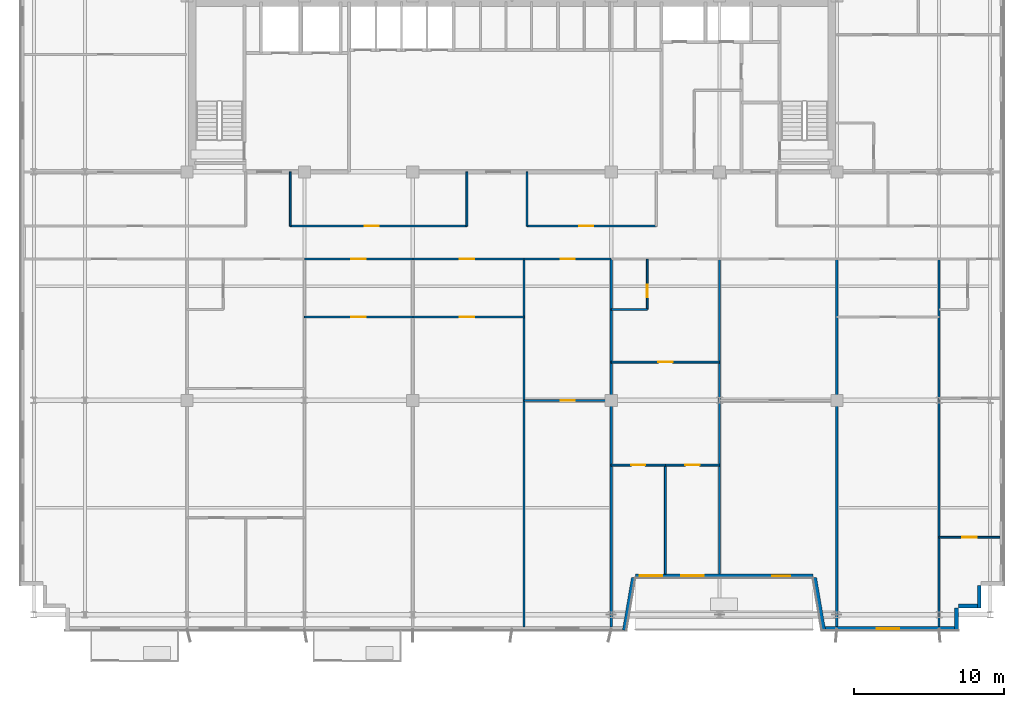
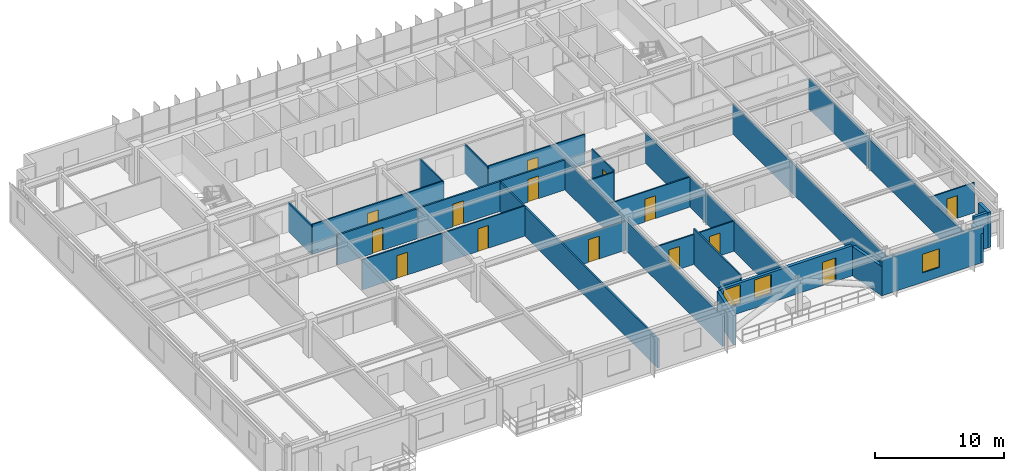
# One storey, part 16 of 22: 30 walls, 14 doors, 3 windows, 17 openings.
"""IFC4 building model written with IfcOpenShell, lengths in metres."""

from ifc_helpers import new_model, si_unit, direction, frame, frame_2d, origin, place, context, subcontext, project, spatial, rectangle, extrude, source, transform, mapped, material, layer, layer_set, type_object, element, fill, save


model = new_model("IFC4")

# Units and contexts
model_context = context("Model", 3, precision=1e-05, world=origin(), true_north=direction((0.0, 1.0)))
body_context = subcontext(model_context, "Body", "Model", "MODEL_VIEW")
ifc_project = project(units=[si_unit("LENGTHUNIT", "METRE"), si_unit("AREAUNIT", "SQUARE_METRE"), si_unit("VOLUMEUNIT", "CUBIC_METRE"), si_unit("PLANEANGLEUNIT", "RADIAN"), si_unit("MASSUNIT", "GRAM", prefix="KILO")], contexts=[model_context])

# Site, building, storey
site_placement = place(None, origin())
site = spatial("IfcSite", under=ifc_project, at=site_placement, CompositionType="ELEMENT")
building_placement = place(site_placement, origin())
building = spatial("IfcBuilding", under=site, at=building_placement, Name="Trelvane Seafront Commons", CompositionType="ELEMENT")
storey_placement = place(building_placement, frame((0.0, 0.0, 121.300048828125)))
storey = spatial("IfcBuildingStorey", under=building, at=storey_placement, Name="L31", CompositionType="ELEMENT", Elevation=121.300048828125)

# Walls
ifc_material_1 = material(Name="Precast concrete C40/50", Category="concrete")
ifc_layer_1 = layer(ifc_material_1, 0.260009765625, Name="ARCH-WALL-EXT260")
ifc_layer_set_1 = layer_set([ifc_layer_1], Name="Precast concrete C40/50")
wall_type_1 = type_object("IfcWallType", Name="ARCH-WALL-EXT260", PredefinedType="SOLIDWALL", material=ifc_layer_set_1)
for number, where, z_axis, x_axis, name in (
    (1, (68.27001953125, 5.89990234375, 0.0), (0.0, 0.0, 1.0), (0.0, -1.0, 0.0), "EW-L31-00596"),
    (2, (68.39990234375, 4.530029296875, 0.0), (0.0, 0.0, 1.0), (-1.0, 0.0, 0.0), "EW-L31-00597"),
):
    element("IfcWall", number, at=place(storey_placement, frame(where, z_axis=z_axis, x_axis=x_axis)), inside=storey, type_object=wall_type_1, Name=name, PredefinedType="SOLIDWALL", context=body_context, shape_type="SweptSolid", body=[
        extrude(rectangle(XDim=1.5, YDim=0.260009765625, at=frame_2d((0.75, 0.0))), origin(), (0.0, 0.0, 1.0), 3.33984375),
    ])
wall_1_placement = place(storey_placement, frame((66.77001953125, 4.39990234375, 0.0), z_axis=(0.0, 0.0, 1.0), x_axis=(0.0, -1.0, 0.0)))
element("IfcWall", 3, at=wall_1_placement, inside=storey, type_object=wall_type_1, Name="EW-L31-00598", PredefinedType="SOLIDWALL", context=body_context, shape_type="SweptSolid", body=[
    extrude(rectangle(XDim=1.5, YDim=0.260009765625, at=frame_2d((0.75, 0.0))), origin(), (0.0, 0.0, 1.0), 2.751953125),
])

# Wall, opening, window
wall_2_placement = place(storey_placement, frame((66.89990234375, 3.030029296875, 0.0), z_axis=(0.0, 0.0, 1.0), x_axis=(-1.0, 0.0, 0.0)))
wall_2 = element("IfcWall", 4, at=wall_2_placement, inside=storey, type_object=wall_type_1, Name="EW-L31-00599", PredefinedType="SOLIDWALL", context=body_context, shape_type="SweptSolid", body=[
    extrude(rectangle(XDim=9.099853515625, YDim=0.260009765625, at=frame_2d((4.5498046875, 0.0))), origin(), (0.0, 0.0, 1.0), 3.33984375),
])
opening_1_placement = place(wall_2_placement, frame((3.949951171875, 0.0, 0.89990234375)))
opening_1 = element("IfcOpeningElement", 5, at=opening_1_placement, cuts=wall_2, Name="Opening W03", PredefinedType="OPENING", context=body_context, shape_type="SweptSolid", body=[
    extrude(rectangle(XDim=1.5, YDim=1.75, at=frame_2d((0.75, 0.875))), frame((0.0, 0.139892578125, 0.0), z_axis=(0.0, -1.0, 0.0), x_axis=(1.0, 0.0, 0.0)), (0.0, 0.0, 1.0), 0.280029296875),
])
ifc_material_2 = material(Name="Low-E coastal double glazing", Category="glass")
window_type = type_object("IfcWindowType", Name="ARCH-WIN-W03", PartitioningType="SINGLE_PANEL", PredefinedType="WINDOW", material=ifc_material_2)
shared_shape_1 = source(origin(), body_context, "Body", "SweptSolid", [
    extrude(rectangle(XDim=1.5, YDim=1.75, at=frame_2d((0.75, 0.875))), frame((0.0, 0.030029296875, 0.0), z_axis=(0.0, -1.0, 0.0), x_axis=(1.0, 0.0, 0.0)), (0.0, 0.0, 1.0), 0.06005859375),
])
window_1_placement = place(opening_1_placement, origin())
window_1 = element("IfcWindow", 6, at=window_1_placement, inside=storey, type_object=window_type, Name="WIN-L31-00711", OverallHeight=1.75, OverallWidth=1.5, PartitioningType="SINGLE_PANEL", PredefinedType="WINDOW", context=body_context, shape_type="MappedRepresentation", body=[
    mapped(shared_shape_1, transform((0.0, 0.0, 0.0), x_axis=(1.0, 0.0, 0.0), y_axis=(0.0, 1.0, 0.0), z_axis=(0.0, 0.0, 1.0), scale=1.0)),
])
fill(opening_1, window_1)

# Wall
wall_3_placement = place(storey_placement, frame((57.927978515625, 2.922119140625, 0.0), z_axis=(0.0, 0.0, 1.0), x_axis=(-0.168923741424, 0.98562912375, 0.0)))
element("IfcWall", 7, at=wall_3_placement, inside=storey, type_object=wall_type_1, Name="EW-L31-00600", PredefinedType="SOLIDWALL", context=body_context, shape_type="SweptSolid", body=[
    extrude(rectangle(XDim=3.551025390625, YDim=0.260009765625, at=frame_2d((1.775390625, 0.0))), origin(), (0.0, 0.0, 1.0), 2.751953125),
])

# Wall, openings, door, windows
wall_4_placement = place(storey_placement, frame((57.199951171875, 6.530029296875, 0.0), z_axis=(0.0, 0.0, 1.0), x_axis=(-1.0, 0.0, 0.0)))
wall_4 = element("IfcWall", 8, at=wall_4_placement, inside=storey, type_object=wall_type_1, Name="EW-L31-00601", PredefinedType="SOLIDWALL", context=body_context, shape_type="SweptSolid", body=[
    extrude(rectangle(XDim=11.800048828125, YDim=0.260009765625, at=frame_2d((5.89990234375, 0.0))), origin(), (0.0, 0.0, 1.0), 2.83984375),
])
opening_2_placement = place(wall_4_placement, frame((1.489990234375, 0.0, 0.0)))
opening_2 = element("IfcOpeningElement", 9, at=opening_2_placement, cuts=wall_4, Name="Opening BD-L31-74", PredefinedType="OPENING", context=body_context, shape_type="SweptSolid", body=[
    extrude(rectangle(XDim=1.199951171875, YDim=2.199951171875, at=frame_2d((0.60009765625, 1.10009765625))), frame((0.0, 0.139892578125, 0.0), z_axis=(0.0, -1.0, 0.0), x_axis=(1.0, 0.0, 0.0)), (0.0, 0.0, 1.0), 0.280029296875),
])
opening_3_placement = place(wall_4_placement, frame((7.25, 0.0, 0.89990234375)))
opening_3 = element("IfcOpeningElement", 10, at=opening_3_placement, cuts=wall_4, Name="Opening W03", PredefinedType="OPENING", context=body_context, shape_type="SweptSolid", body=[
    extrude(rectangle(XDim=1.5, YDim=1.75, at=frame_2d((0.75, 0.875))), frame((0.0, 0.139892578125, 0.0), z_axis=(0.0, -1.0, 0.0), x_axis=(1.0, 0.0, 0.0)), (0.0, 0.0, 1.0), 0.280029296875),
])
opening_4_placement = place(wall_4_placement, frame((10.0048828125, 0.0, 0.89990234375)))
opening_4 = element("IfcOpeningElement", 11, at=opening_4_placement, cuts=wall_4, Name="Opening W03", PredefinedType="OPENING", context=body_context, shape_type="SweptSolid", body=[
    extrude(rectangle(XDim=1.5, YDim=1.75, at=frame_2d((0.75, 0.875))), frame((0.0, 0.139892578125, 0.0), z_axis=(0.0, -1.0, 0.0), x_axis=(1.0, 0.0, 0.0)), (0.0, 0.0, 1.0), 0.280029296875),
])
ifc_material_3 = material(Name="Powder-coated aluminium frame", Category="aluminium")
door_type_1 = type_object("IfcDoorType", Name="ARCH-DR-BAL1200", OperationType="NOTDEFINED", PredefinedType="DOOR", material=ifc_material_3)
shared_shape_2 = source(origin(), body_context, "Body", "SweptSolid", [
    extrude(rectangle(XDim=1.199951171875, YDim=2.199951171875, at=frame_2d((0.60009765625, 1.10009765625))), frame((0.0, 0.02490234375, 0.0), z_axis=(0.0, -1.0, 0.0), x_axis=(1.0, 0.0, 0.0)), (0.0, 0.0, 1.0), 0.050048828125),
])
door_1_placement = place(opening_2_placement, origin())
door_1 = element("IfcDoor", 12, at=door_1_placement, inside=storey, type_object=door_type_1, Name="L31 Balcony Terrace Access Door", OperationType="SINGLE_SWING_LEFT", OverallHeight=2.199951171875, OverallWidth=1.199951171875, PredefinedType="DOOR", context=body_context, shape_type="MappedRepresentation", body=[
    mapped(shared_shape_2, transform((0.0, 0.0, 0.0), x_axis=(1.0, 0.0, 0.0), y_axis=(0.0, 1.0, 0.0), z_axis=(0.0, 0.0, 1.0), scale=1.0)),
])
fill(opening_2, door_1)
window_2_placement = place(opening_3_placement, origin())
window_2 = element("IfcWindow", 13, at=window_2_placement, inside=storey, type_object=window_type, Name="WIN-L31-00712", OverallHeight=1.75, OverallWidth=1.5, PartitioningType="SINGLE_PANEL", PredefinedType="WINDOW", context=body_context, shape_type="MappedRepresentation", body=[
    mapped(shared_shape_1, transform((0.0, 0.0, 0.0), x_axis=(1.0, 0.0, 0.0), y_axis=(0.0, 1.0, 0.0), z_axis=(0.0, 0.0, 1.0), scale=1.0)),
])
fill(opening_3, window_2)
window_3_placement = place(opening_4_placement, origin())
window_3 = element("IfcWindow", 14, at=window_3_placement, inside=storey, type_object=window_type, Name="WIN-L31-00713", OverallHeight=1.75, OverallWidth=1.5, PartitioningType="SINGLE_PANEL", PredefinedType="WINDOW", context=body_context, shape_type="MappedRepresentation", body=[
    mapped(shared_shape_1, transform((0.0, 0.0, 0.0), x_axis=(1.0, 0.0, 0.0), y_axis=(0.0, 1.0, 0.0), z_axis=(0.0, 0.0, 1.0), scale=1.0)),
])
fill(opening_4, window_3)

# Wall
wall_5_placement = place(storey_placement, frame((45.27197265625, 6.422119140625, 0.0), z_axis=(0.0, 0.0, 1.0), x_axis=(-0.168990530437, -0.98561767467, 0.0)))
element("IfcWall", 15, at=wall_5_placement, inside=storey, type_object=wall_type_1, Name="EW-L31-00602", PredefinedType="SOLIDWALL", context=body_context, shape_type="SweptSolid", body=[
    extrude(rectangle(XDim=3.551025390625, YDim=0.260009765625, at=frame_2d((1.775390625, 0.0))), origin(), (0.0, 0.0, 1.0), 2.751953125),
])

# Wall, opening, door
ifc_material_4 = material(Name="Gypsum Drywall Acoustic Partition")
ifc_layer_2 = layer(ifc_material_4, 0.1201171875, Name="ARCH-WALL-PART120")
ifc_layer_set_2 = layer_set([ifc_layer_2], Name="Gypsum Drywall Acoustic Partition")
wall_type_2 = type_object("IfcWallType", Name="ARCH-WALL-PART120", PredefinedType="PARTITIONING", material=ifc_layer_set_2)
wall_6_placement = place(storey_placement, frame((22.449951171875, 29.800048828125, 0.0), z_axis=(0.0, 0.0, 1.0), x_axis=(1.0, 0.0, 0.0)))
wall_6 = element("IfcWall", 16, at=wall_6_placement, inside=storey, type_object=wall_type_2, Name="W-L31-CORR-N-M1-039", PredefinedType="PARTITIONING", context=body_context, shape_type="SweptSolid", body=[
    extrude(rectangle(XDim=11.75, YDim=0.1201171875, at=frame_2d((5.875, 0.0))), origin(), (0.0, 0.0, 1.0), 2.83984375),
])
opening_5_placement = place(wall_6_placement, frame((4.944091796875, 0.0, 0.0)))
opening_5 = element("IfcOpeningElement", 17, at=opening_5_placement, cuts=wall_6, Name="Opening D-L31-18", PredefinedType="OPENING", context=body_context, shape_type="SweptSolid", body=[
    extrude(rectangle(XDim=0.949951171875, YDim=2.14990234375, at=frame_2d((0.47509765625, 1.074951171875))), frame((0.0, 0.070068359375, 0.0), z_axis=(0.0, -1.0, 0.0), x_axis=(1.0, 0.0, 0.0)), (0.0, 0.0, 1.0), 0.14013671875),
])
ifc_material_5 = material(Name="Acoustic timber door leaf", Category="wood")
door_type_2 = type_object("IfcDoorType", Name="ARCH-DR-INT950", OperationType="NOTDEFINED", PredefinedType="DOOR", material=ifc_material_5)
shared_shape_3 = source(origin(), body_context, "Body", "SweptSolid", [
    extrude(rectangle(XDim=0.949951171875, YDim=2.14990234375, at=frame_2d((0.47509765625, 1.074951171875))), frame((0.0, 0.02490234375, 0.0), z_axis=(0.0, -1.0, 0.0), x_axis=(1.0, 0.0, 0.0)), (0.0, 0.0, 1.0), 0.050048828125),
])
door_2_placement = place(opening_5_placement, origin())
door_2 = element("IfcDoor", 18, at=door_2_placement, inside=storey, type_object=door_type_2, Name="L31 Door 18", OperationType="SINGLE_SWING_RIGHT", OverallHeight=2.14990234375, OverallWidth=0.949951171875, PredefinedType="DOOR", context=body_context, shape_type="MappedRepresentation", body=[
    mapped(shared_shape_3, transform((0.0, 0.0, 0.0), x_axis=(1.0, 0.0, 0.0), y_axis=(0.0, 1.0, 0.0), z_axis=(0.0, 0.0, 1.0), scale=1.0)),
])
fill(opening_5, door_2)

wall_7_placement = place(storey_placement, frame((38.199951171875, 29.800048828125, 0.0), z_axis=(0.0, 0.0, 1.0), x_axis=(1.0, 0.0, 0.0)))
wall_7 = element("IfcWall", 19, at=wall_7_placement, inside=storey, type_object=wall_type_2, Name="W-L31-CORR-N-M2-040", PredefinedType="PARTITIONING", context=body_context, shape_type="SweptSolid", body=[
    extrude(rectangle(XDim=8.60009765625, YDim=0.1201171875, at=frame_2d((4.300048828125, 0.0))), origin(), (0.0, 0.0, 1.0), 2.83984375),
])
opening_6_placement = place(wall_7_placement, frame((3.4619140625, 0.0, 0.0)))
opening_6 = element("IfcOpeningElement", 20, at=opening_6_placement, cuts=wall_7, Name="Opening D-L31-19", PredefinedType="OPENING", context=body_context, shape_type="SweptSolid", body=[
    extrude(rectangle(XDim=0.949951171875, YDim=2.14990234375, at=frame_2d((0.47509765625, 1.074951171875))), frame((0.0, 0.070068359375, 0.0), z_axis=(0.0, -1.0, 0.0), x_axis=(1.0, 0.0, 0.0)), (0.0, 0.0, 1.0), 0.14013671875),
])
door_3_placement = place(opening_6_placement, origin())
door_3 = element("IfcDoor", 21, at=door_3_placement, inside=storey, type_object=door_type_2, Name="L31 Door 19", OperationType="SINGLE_SWING_LEFT", OverallHeight=2.14990234375, OverallWidth=0.949951171875, PredefinedType="DOOR", context=body_context, shape_type="MappedRepresentation", body=[
    mapped(shared_shape_3, transform((0.0, 0.0, 0.0), x_axis=(1.0, 0.0, 0.0), y_axis=(0.0, 1.0, 0.0), z_axis=(0.0, 0.0, 1.0), scale=1.0)),
])
fill(opening_6, door_3)

# Walls
for number, where, z_axis, x_axis, name in (
    (22, (22.449951171875, 29.800048828125, 0.0), (0.0, 0.0, 1.0), (0.0, 1.0, 0.0), "W-L31-N-SPUR-W2-044"),
    (23, (34.199951171875, 29.800048828125, 0.0), (0.0, 0.0, 1.0), (0.0, 1.0, 0.0), "W-L31-N-SPUR-M1-045"),
    (24, (38.199951171875, 29.800048828125, 0.0), (0.0, 0.0, 1.0), (0.0, 1.0, 0.0), "W-L31-N-SPUR-M2-046"),
):
    element("IfcWall", number, at=place(storey_placement, frame(where, z_axis=z_axis, x_axis=x_axis)), inside=storey, type_object=wall_type_2, Name=name, PredefinedType="PARTITIONING", context=body_context, shape_type="SweptSolid", body=[
        extrude(rectangle(XDim=3.599853515625, YDim=0.1201171875, at=frame_2d((1.7998046875, 0.0))), origin(), (0.0, 0.0, 1.0), 2.751953125),
    ])

# Wall, opening, door
wall_8_placement = place(storey_placement, frame((23.39990234375, 23.75, 0.0), z_axis=(0.0, 0.0, 1.0), x_axis=(1.0, 0.0, 0.0)))
wall_8 = element("IfcWall", 25, at=wall_8_placement, inside=storey, type_object=wall_type_2, Name="W-L31-U3-DIV-077", PredefinedType="PARTITIONING", context=body_context, shape_type="SweptSolid", body=[
    extrude(rectangle(XDim=7.2001953125, YDim=0.1201171875, at=frame_2d((3.60009765625, 0.0))), origin(), (0.0, 0.0, 1.0), 2.83984375),
])
opening_7_placement = place(wall_8_placement, frame((3.125, 0.0, 0.0)))
opening_7 = element("IfcOpeningElement", 26, at=opening_7_placement, cuts=wall_8, Name="Opening D-L31-38", PredefinedType="OPENING", context=body_context, shape_type="SweptSolid", body=[
    extrude(rectangle(XDim=0.949951171875, YDim=2.14990234375, at=frame_2d((0.47509765625, 1.074951171875))), frame((0.0, 0.070068359375, 0.0), z_axis=(0.0, -1.0, 0.0), x_axis=(1.0, 0.0, 0.0)), (0.0, 0.0, 1.0), 0.14013671875),
])
door_4_placement = place(opening_7_placement, origin())
door_4 = element("IfcDoor", 27, at=door_4_placement, inside=storey, type_object=door_type_2, Name="L31 Door 38", OperationType="SINGLE_SWING_RIGHT", OverallHeight=2.14990234375, OverallWidth=0.949951171875, PredefinedType="DOOR", context=body_context, shape_type="MappedRepresentation", body=[
    mapped(shared_shape_3, transform((0.0, 0.0, 0.0), x_axis=(1.0, 0.0, 0.0), y_axis=(0.0, 1.0, 0.0), z_axis=(0.0, 0.0, 1.0), scale=1.0)),
])
fill(opening_7, door_4)

wall_9_placement = place(storey_placement, frame((30.60009765625, 23.75, 0.0), z_axis=(0.0, 0.0, 1.0), x_axis=(1.0, 0.0, 0.0)))
wall_9 = element("IfcWall", 28, at=wall_9_placement, inside=storey, type_object=wall_type_2, Name="W-L31-U4-DIV-079", PredefinedType="PARTITIONING", context=body_context, shape_type="SweptSolid", body=[
    extrude(rectangle(XDim=7.39990234375, YDim=0.1201171875, at=frame_2d((3.699951171875, 0.0))), origin(), (0.0, 0.0, 1.0), 2.83984375),
])
opening_8_placement = place(wall_9_placement, frame((3.133056640625, 0.0, 0.0)))
opening_8 = element("IfcOpeningElement", 29, at=opening_8_placement, cuts=wall_9, Name="Opening D-L31-40", PredefinedType="OPENING", context=body_context, shape_type="SweptSolid", body=[
    extrude(rectangle(XDim=0.949951171875, YDim=2.14990234375, at=frame_2d((0.47509765625, 1.074951171875))), frame((0.0, 0.070068359375, 0.0), z_axis=(0.0, -1.0, 0.0), x_axis=(1.0, 0.0, 0.0)), (0.0, 0.0, 1.0), 0.14013671875),
])
door_5_placement = place(opening_8_placement, origin())
door_5 = element("IfcDoor", 30, at=door_5_placement, inside=storey, type_object=door_type_2, Name="L31 Door 40", OperationType="SINGLE_SWING_RIGHT", OverallHeight=2.14990234375, OverallWidth=0.949951171875, PredefinedType="DOOR", context=body_context, shape_type="MappedRepresentation", body=[
    mapped(shared_shape_3, transform((0.0, 0.0, 0.0), x_axis=(1.0, 0.0, 0.0), y_axis=(0.0, 1.0, 0.0), z_axis=(0.0, 0.0, 1.0), scale=1.0)),
])
fill(opening_8, door_5)

wall_10_placement = place(storey_placement, frame((38.0, 18.199951171875, 0.0), z_axis=(0.0, 0.0, 1.0), x_axis=(1.0, 0.0, 0.0)))
wall_10 = element("IfcWall", 31, at=wall_10_placement, inside=storey, type_object=wall_type_2, Name="W-L31-U5-DIV-081", PredefinedType="PARTITIONING", context=body_context, shape_type="SweptSolid", body=[
    extrude(rectangle(XDim=5.800048828125, YDim=0.1201171875, at=frame_2d((2.89990234375, 0.0))), origin(), (0.0, 0.0, 1.0), 2.751953125),
])
opening_9_placement = place(wall_10_placement, frame((2.425048828125, 0.0, 0.0)))
opening_9 = element("IfcOpeningElement", 32, at=opening_9_placement, cuts=wall_10, Name="Opening D-L31-42", PredefinedType="OPENING", context=body_context, shape_type="SweptSolid", body=[
    extrude(rectangle(XDim=0.949951171875, YDim=2.14990234375, at=frame_2d((0.47509765625, 1.074951171875))), frame((0.0, 0.070068359375, 0.0), z_axis=(0.0, -1.0, 0.0), x_axis=(1.0, 0.0, 0.0)), (0.0, 0.0, 1.0), 0.14013671875),
])
door_6_placement = place(opening_9_placement, origin())
door_6 = element("IfcDoor", 33, at=door_6_placement, inside=storey, type_object=door_type_2, Name="L31 Door 42", OperationType="SINGLE_SWING_RIGHT", OverallHeight=2.14990234375, OverallWidth=0.949951171875, PredefinedType="DOOR", context=body_context, shape_type="MappedRepresentation", body=[
    mapped(shared_shape_3, transform((0.0, 0.0, 0.0), x_axis=(1.0, 0.0, 0.0), y_axis=(0.0, 1.0, 0.0), z_axis=(0.0, 0.0, 1.0), scale=1.0)),
])
fill(opening_9, door_6)

wall_11_placement = place(storey_placement, frame((43.800048828125, 20.75, 0.0), z_axis=(0.0, 0.0, 1.0), x_axis=(1.0, 0.0, 0.0)))
wall_11 = element("IfcWall", 34, at=wall_11_placement, inside=storey, type_object=wall_type_2, Name="W-L31-U6-KL-082", PredefinedType="PARTITIONING", context=body_context, shape_type="SweptSolid", body=[
    extrude(rectangle(XDim=7.199951171875, YDim=0.1201171875, at=frame_2d((3.60009765625, 0.0))), origin(), (0.0, 0.0, 1.0), 2.83984375),
])
opening_10_placement = place(wall_11_placement, frame((3.125, 0.0, 0.0)))
opening_10 = element("IfcOpeningElement", 35, at=opening_10_placement, cuts=wall_11, Name="Opening D-L31-43", PredefinedType="OPENING", context=body_context, shape_type="SweptSolid", body=[
    extrude(rectangle(XDim=0.949951171875, YDim=2.14990234375, at=frame_2d((0.47509765625, 1.074951171875))), frame((0.0, 0.070068359375, 0.0), z_axis=(0.0, -1.0, 0.0), x_axis=(1.0, 0.0, 0.0)), (0.0, 0.0, 1.0), 0.14013671875),
])
door_7_placement = place(opening_10_placement, origin())
door_7 = element("IfcDoor", 36, at=door_7_placement, inside=storey, type_object=door_type_2, Name="L31 Door 43", OperationType="SINGLE_SWING_LEFT", OverallHeight=2.14990234375, OverallWidth=0.949951171875, PredefinedType="DOOR", context=body_context, shape_type="MappedRepresentation", body=[
    mapped(shared_shape_3, transform((0.0, 0.0, 0.0), x_axis=(1.0, 0.0, 0.0), y_axis=(0.0, 1.0, 0.0), z_axis=(0.0, 0.0, 1.0), scale=1.0)),
])
fill(opening_10, door_7)

wall_12_placement = place(storey_placement, frame((46.199951171875, 24.25, 0.0), z_axis=(0.0, 0.0, 1.0), x_axis=(0.0, 1.0, 0.0)))
wall_12 = element("IfcWall", 37, at=wall_12_placement, inside=storey, type_object=wall_type_2, Name="W-L31-U6-BE-083", PredefinedType="PARTITIONING", context=body_context, shape_type="SweptSolid", body=[
    extrude(rectangle(XDim=3.35009765625, YDim=0.1201171875, at=frame_2d((1.675048828125, 0.0))), origin(), (0.0, 0.0, 1.0), 2.989990234375),
])
opening_11_placement = place(wall_12_placement, frame((0.800048828125, 0.0, 0.0)))
opening_11 = element("IfcOpeningElement", 38, at=opening_11_placement, cuts=wall_12, Name="Opening D-L31-44", PredefinedType="OPENING", context=body_context, shape_type="SweptSolid", body=[
    extrude(rectangle(XDim=0.85009765625, YDim=2.10009765625, at=frame_2d((0.425048828125, 1.050048828125))), frame((0.0, 0.070068359375, 0.0), z_axis=(0.0, -1.0, 0.0), x_axis=(1.0, 0.0, 0.0)), (0.0, 0.0, 1.0), 0.14013671875),
])
door_type_3 = type_object("IfcDoorType", Name="ARCH-DR-INT850", OperationType="NOTDEFINED", PredefinedType="DOOR", material=ifc_material_5)
shared_shape_4 = source(origin(), body_context, "Body", "SweptSolid", [
    extrude(rectangle(XDim=0.85009765625, YDim=2.10009765625, at=frame_2d((0.425048828125, 1.050048828125))), frame((0.0, 0.02490234375, 0.0), z_axis=(0.0, -1.0, 0.0), x_axis=(1.0, 0.0, 0.0)), (0.0, 0.0, 1.0), 0.050048828125),
])
door_8_placement = place(opening_11_placement, origin())
door_8 = element("IfcDoor", 39, at=door_8_placement, inside=storey, type_object=door_type_3, Name="L31 Door 44", OperationType="SINGLE_SWING_RIGHT", OverallHeight=2.10009765625, OverallWidth=0.85009765625, PredefinedType="DOOR", context=body_context, shape_type="MappedRepresentation", body=[
    mapped(shared_shape_4, transform((0.0, 0.0, 0.0), x_axis=(1.0, 0.0, 0.0), y_axis=(0.0, 1.0, 0.0), z_axis=(0.0, 0.0, 1.0), scale=1.0)),
])
fill(opening_11, door_8)

# Wall
wall_13_placement = place(storey_placement, frame((43.800048828125, 24.25, 0.0), z_axis=(0.0, 0.0, 1.0), x_axis=(1.0, 0.0, 0.0)))
element("IfcWall", 40, at=wall_13_placement, inside=storey, type_object=wall_type_2, Name="W-L31-U6-BS-084", PredefinedType="PARTITIONING", context=body_context, shape_type="SweptSolid", body=[
    extrude(rectangle(XDim=2.39990234375, YDim=0.1201171875, at=frame_2d((1.199951171875, 0.0))), origin(), (0.0, 0.0, 1.0), 2.83984375),
])

# Wall, opening, door
wall_14_placement = place(storey_placement, frame((43.800048828125, 13.89990234375, 0.0), z_axis=(0.0, 0.0, 1.0), x_axis=(1.0, 0.0, 0.0)))
wall_14 = element("IfcWall", 41, at=wall_14_placement, inside=storey, type_object=wall_type_2, Name="W-L31-U6-YM-1-086", PredefinedType="PARTITIONING", context=body_context, shape_type="SweptSolid", body=[
    extrude(rectangle(XDim=3.599853515625, YDim=0.1201171875, at=frame_2d((1.7998046875, 0.0))), origin(), (0.0, 0.0, 1.0), 2.83984375),
])
opening_12_placement = place(wall_14_placement, frame((1.324951171875, 0.0, 0.0)))
opening_12 = element("IfcOpeningElement", 42, at=opening_12_placement, cuts=wall_14, Name="Opening D-L31-46", PredefinedType="OPENING", context=body_context, shape_type="SweptSolid", body=[
    extrude(rectangle(XDim=0.949951171875, YDim=2.14990234375, at=frame_2d((0.47509765625, 1.074951171875))), frame((0.0, 0.070068359375, 0.0), z_axis=(0.0, -1.0, 0.0), x_axis=(1.0, 0.0, 0.0)), (0.0, 0.0, 1.0), 0.14013671875),
])
door_9_placement = place(opening_12_placement, origin())
door_9 = element("IfcDoor", 43, at=door_9_placement, inside=storey, type_object=door_type_2, Name="L31 Door 46", OperationType="SINGLE_SWING_RIGHT", OverallHeight=2.14990234375, OverallWidth=0.949951171875, PredefinedType="DOOR", context=body_context, shape_type="MappedRepresentation", body=[
    mapped(shared_shape_3, transform((0.0, 0.0, 0.0), x_axis=(1.0, 0.0, 0.0), y_axis=(0.0, 1.0, 0.0), z_axis=(0.0, 0.0, 1.0), scale=1.0)),
])
fill(opening_12, door_9)

wall_15_placement = place(storey_placement, frame((47.39990234375, 13.89990234375, 0.0), z_axis=(0.0, 0.0, 1.0), x_axis=(1.0, 0.0, 0.0)))
wall_15 = element("IfcWall", 44, at=wall_15_placement, inside=storey, type_object=wall_type_2, Name="W-L31-U6-YM-2-087", PredefinedType="PARTITIONING", context=body_context, shape_type="SweptSolid", body=[
    extrude(rectangle(XDim=3.60009765625, YDim=0.1201171875, at=frame_2d((1.800048828125, 0.0))), origin(), (0.0, 0.0, 1.0), 2.83984375),
])
opening_13_placement = place(wall_15_placement, frame((1.324951171875, 0.0, 0.0)))
opening_13 = element("IfcOpeningElement", 45, at=opening_13_placement, cuts=wall_15, Name="Opening D-L31-47", PredefinedType="OPENING", context=body_context, shape_type="SweptSolid", body=[
    extrude(rectangle(XDim=0.949951171875, YDim=2.14990234375, at=frame_2d((0.47509765625, 1.074951171875))), frame((0.0, 0.070068359375, 0.0), z_axis=(0.0, -1.0, 0.0), x_axis=(1.0, 0.0, 0.0)), (0.0, 0.0, 1.0), 0.14013671875),
])
door_10_placement = place(opening_13_placement, origin())
door_10 = element("IfcDoor", 46, at=door_10_placement, inside=storey, type_object=door_type_2, Name="L31 Door 47", OperationType="SINGLE_SWING_LEFT", OverallHeight=2.14990234375, OverallWidth=0.949951171875, PredefinedType="DOOR", context=body_context, shape_type="MappedRepresentation", body=[
    mapped(shared_shape_3, transform((0.0, 0.0, 0.0), x_axis=(1.0, 0.0, 0.0), y_axis=(0.0, 1.0, 0.0), z_axis=(0.0, 0.0, 1.0), scale=1.0)),
])
fill(opening_13, door_10)

# Wall
wall_16_placement = place(storey_placement, frame((47.39990234375, 6.64501953125, 0.0), z_axis=(0.0, 0.0, 1.0), x_axis=(0.0, 1.0, 0.0)))
element("IfcWall", 47, at=wall_16_placement, inside=storey, type_object=wall_type_2, Name="W-L31-U6-BDV-1-088", PredefinedType="PARTITIONING", context=body_context, shape_type="SweptSolid", body=[
    extrude(rectangle(XDim=7.2548828125, YDim=0.1201171875, at=frame_2d((3.62744140625, 0.0))), origin(), (0.0, 0.0, 1.0), 3.33984375),
])

# Wall, opening, door
wall_17_placement = place(storey_placement, frame((65.60009765625, 9.10009765625, 0.0), z_axis=(0.0, 0.0, 1.0), x_axis=(1.0, 0.0, 0.0)))
wall_17 = element("IfcWall", 48, at=wall_17_placement, inside=storey, type_object=wall_type_2, Name="W-L31-U9-YM-1-097", PredefinedType="PARTITIONING", context=body_context, shape_type="SweptSolid", body=[
    extrude(rectangle(XDim=4.039794921875, YDim=0.1201171875, at=frame_2d((2.02001953125, 0.0))), origin(), (0.0, 0.0, 1.0), 2.83984375),
])
opening_14_placement = place(wall_17_placement, frame((1.544921875, 0.0, 0.0)))
opening_14 = element("IfcOpeningElement", 49, at=opening_14_placement, cuts=wall_17, Name="Opening D-L31-55", PredefinedType="OPENING", context=body_context, shape_type="SweptSolid", body=[
    extrude(rectangle(XDim=0.949951171875, YDim=2.14990234375, at=frame_2d((0.47509765625, 1.074951171875))), frame((0.0, 0.070068359375, 0.0), z_axis=(0.0, -1.0, 0.0), x_axis=(1.0, 0.0, 0.0)), (0.0, 0.0, 1.0), 0.14013671875),
])
door_11_placement = place(opening_14_placement, origin())
door_11 = element("IfcDoor", 50, at=door_11_placement, inside=storey, type_object=door_type_2, Name="L31 Door 55", OperationType="SINGLE_SWING_LEFT", OverallHeight=2.14990234375, OverallWidth=0.949951171875, PredefinedType="DOOR", context=body_context, shape_type="MappedRepresentation", body=[
    mapped(shared_shape_3, transform((0.0, 0.0, 0.0), x_axis=(1.0, 0.0, 0.0), y_axis=(0.0, 1.0, 0.0), z_axis=(0.0, 0.0, 1.0), scale=1.0)),
])
fill(opening_14, door_11)

# Walls
ifc_layer_3 = layer(ifc_material_4, 0.14990234375, Name="ARCH-WALL-PART150")
ifc_layer_set_3 = layer_set([ifc_layer_3], Name="Gypsum Drywall Acoustic Partition")
wall_type_3 = type_object("IfcWallType", Name="ARCH-WALL-PART150", PredefinedType="PARTITIONING", material=ifc_layer_set_3)
wall_18_placement = place(storey_placement, frame((38.0, 3.14501953125, 0.0), z_axis=(0.0, 0.0, 1.0), x_axis=(0.0, 1.0, 0.0)))
element("IfcWall", 51, at=wall_18_placement, inside=storey, type_object=wall_type_3, Name="W-L31-PW-4-063", PredefinedType="PARTITIONING", context=body_context, shape_type="SweptSolid", body=[
    extrude(rectangle(XDim=24.455078125, YDim=0.14990234375, at=frame_2d((12.2275390625, 0.0))), origin(), (0.0, 0.0, 1.0), 2.751953125),
])
wall_19_placement = place(storey_placement, frame((43.800048828125, 3.14501953125, 0.0), z_axis=(0.0, 0.0, 1.0), x_axis=(0.0, 1.0, 0.0)))
element("IfcWall", 52, at=wall_19_placement, inside=storey, type_object=wall_type_3, Name="W-L31-PW-5-064", PredefinedType="PARTITIONING", context=body_context, shape_type="SweptSolid", body=[
    extrude(rectangle(XDim=24.455078125, YDim=0.14990234375, at=frame_2d((12.2275390625, 0.0))), origin(), (0.0, 0.0, 1.0), 2.83984375),
])
wall_20_placement = place(storey_placement, frame((51.0, 6.64501953125, 0.0), z_axis=(0.0, 0.0, 1.0), x_axis=(0.0, 1.0, 0.0)))
element("IfcWall", 53, at=wall_20_placement, inside=storey, type_object=wall_type_3, Name="W-L31-PW-6-065", PredefinedType="PARTITIONING", context=body_context, shape_type="SweptSolid", body=[
    extrude(rectangle(XDim=20.955078125, YDim=0.14990234375, at=frame_2d((10.4775390625, 0.0))), origin(), (0.0, 0.0, 1.0), 2.83984375),
])
for number, where, z_axis, x_axis, name in (
    (54, (58.800048828125, 3.14501953125, 0.0), (0.0, 0.0, 1.0), (0.0, 1.0, 0.0), "W-L31-PW-7-066"),
    (55, (65.60009765625, 3.14501953125, 0.0), (0.0, 0.0, 1.0), (0.0, 1.0, 0.0), "W-L31-PW-8-067"),
):
    element("IfcWall", number, at=place(storey_placement, frame(where, z_axis=z_axis, x_axis=x_axis)), inside=storey, type_object=wall_type_3, Name=name, PredefinedType="PARTITIONING", context=body_context, shape_type="SweptSolid", body=[
        extrude(rectangle(XDim=24.455078125, YDim=0.14990234375, at=frame_2d((12.2275390625, 0.0))), origin(), (0.0, 0.0, 1.0), 2.83984375),
    ])

# Wall, opening, door
wall_21_placement = place(storey_placement, frame((23.39990234375, 27.60009765625, 0.0), z_axis=(0.0, 0.0, 1.0), x_axis=(1.0, 0.0, 0.0)))
wall_21 = element("IfcWall", 56, at=wall_21_placement, inside=storey, type_object=wall_type_3, Name="W-L31-CS-BAY-3-076", PredefinedType="PARTITIONING", context=body_context, shape_type="SweptSolid", body=[
    extrude(rectangle(XDim=7.2001953125, YDim=0.14990234375, at=frame_2d((3.60009765625, 0.0))), origin(), (0.0, 0.0, 1.0), 2.83984375),
])
opening_15_placement = place(wall_21_placement, frame((3.125, 0.0, 0.0)))
opening_15 = element("IfcOpeningElement", 57, at=opening_15_placement, cuts=wall_21, Name="Opening FD-L31-37", PredefinedType="OPENING", context=body_context, shape_type="SweptSolid", body=[
    extrude(rectangle(XDim=0.949951171875, YDim=2.14990234375, at=frame_2d((0.47509765625, 1.074951171875))), frame((0.0, 0.0849609375, 0.0), z_axis=(0.0, -1.0, 0.0), x_axis=(1.0, 0.0, 0.0)), (0.0, 0.0, 1.0), 0.169921875),
])
door_type_4 = type_object("IfcDoorType", Name="ARCH-DR-FD60-950", OperationType="NOTDEFINED", PredefinedType="DOOR", material=ifc_material_3)
door_12_placement = place(opening_15_placement, origin())
door_12 = element("IfcDoor", 58, at=door_12_placement, inside=storey, type_object=door_type_4, Name="L31 Bay 03 Entrance Door", OperationType="SINGLE_SWING_LEFT", OverallHeight=2.14990234375, OverallWidth=0.949951171875, PredefinedType="DOOR", context=body_context, shape_type="MappedRepresentation", body=[
    mapped(shared_shape_3, transform((0.0, 0.0, 0.0), x_axis=(1.0, 0.0, 0.0), y_axis=(0.0, 1.0, 0.0), z_axis=(0.0, 0.0, 1.0), scale=1.0)),
])
fill(opening_15, door_12)

wall_22_placement = place(storey_placement, frame((30.60009765625, 27.60009765625, 0.0), z_axis=(0.0, 0.0, 1.0), x_axis=(1.0, 0.0, 0.0)))
wall_22 = element("IfcWall", 59, at=wall_22_placement, inside=storey, type_object=wall_type_3, Name="W-L31-CS-BAY-4-078", PredefinedType="PARTITIONING", context=body_context, shape_type="SweptSolid", body=[
    extrude(rectangle(XDim=7.39990234375, YDim=0.14990234375, at=frame_2d((3.699951171875, 0.0))), origin(), (0.0, 0.0, 1.0), 2.83984375),
])
opening_16_placement = place(wall_22_placement, frame((3.133056640625, 0.0, 0.0)))
opening_16 = element("IfcOpeningElement", 60, at=opening_16_placement, cuts=wall_22, Name="Opening FD-L31-39", PredefinedType="OPENING", context=body_context, shape_type="SweptSolid", body=[
    extrude(rectangle(XDim=0.949951171875, YDim=2.14990234375, at=frame_2d((0.47509765625, 1.074951171875))), frame((0.0, 0.0849609375, 0.0), z_axis=(0.0, -1.0, 0.0), x_axis=(1.0, 0.0, 0.0)), (0.0, 0.0, 1.0), 0.169921875),
])
door_13_placement = place(opening_16_placement, origin())
door_13 = element("IfcDoor", 61, at=door_13_placement, inside=storey, type_object=door_type_4, Name="L31 Bay 04 Entrance Door", OperationType="SINGLE_SWING_LEFT", OverallHeight=2.14990234375, OverallWidth=0.949951171875, PredefinedType="DOOR", context=body_context, shape_type="MappedRepresentation", body=[
    mapped(shared_shape_3, transform((0.0, 0.0, 0.0), x_axis=(1.0, 0.0, 0.0), y_axis=(0.0, 1.0, 0.0), z_axis=(0.0, 0.0, 1.0), scale=1.0)),
])
fill(opening_16, door_13)

wall_23_placement = place(storey_placement, frame((38.0, 27.60009765625, 0.0), z_axis=(0.0, 0.0, 1.0), x_axis=(1.0, 0.0, 0.0)))
wall_23 = element("IfcWall", 62, at=wall_23_placement, inside=storey, type_object=wall_type_3, Name="W-L31-CS-BAY-5-080", PredefinedType="PARTITIONING", context=body_context, shape_type="SweptSolid", body=[
    extrude(rectangle(XDim=5.800048828125, YDim=0.14990234375, at=frame_2d((2.89990234375, 0.0))), origin(), (0.0, 0.0, 1.0), 2.83984375),
])
opening_17_placement = place(wall_23_placement, frame((2.425048828125, 0.0, 0.0)))
opening_17 = element("IfcOpeningElement", 63, at=opening_17_placement, cuts=wall_23, Name="Opening FD-L31-41", PredefinedType="OPENING", context=body_context, shape_type="SweptSolid", body=[
    extrude(rectangle(XDim=0.949951171875, YDim=2.14990234375, at=frame_2d((0.47509765625, 1.074951171875))), frame((0.0, 0.0849609375, 0.0), z_axis=(0.0, -1.0, 0.0), x_axis=(1.0, 0.0, 0.0)), (0.0, 0.0, 1.0), 0.169921875),
])
door_14_placement = place(opening_17_placement, origin())
door_14 = element("IfcDoor", 64, at=door_14_placement, inside=storey, type_object=door_type_4, Name="L31 Bay 05 Entrance Door", OperationType="SINGLE_SWING_LEFT", OverallHeight=2.14990234375, OverallWidth=0.949951171875, PredefinedType="DOOR", context=body_context, shape_type="MappedRepresentation", body=[
    mapped(shared_shape_3, transform((0.0, 0.0, 0.0), x_axis=(1.0, 0.0, 0.0), y_axis=(0.0, 1.0, 0.0), z_axis=(0.0, 0.0, 1.0), scale=1.0)),
])
fill(opening_17, door_14)

save(model, "model.ifc")
